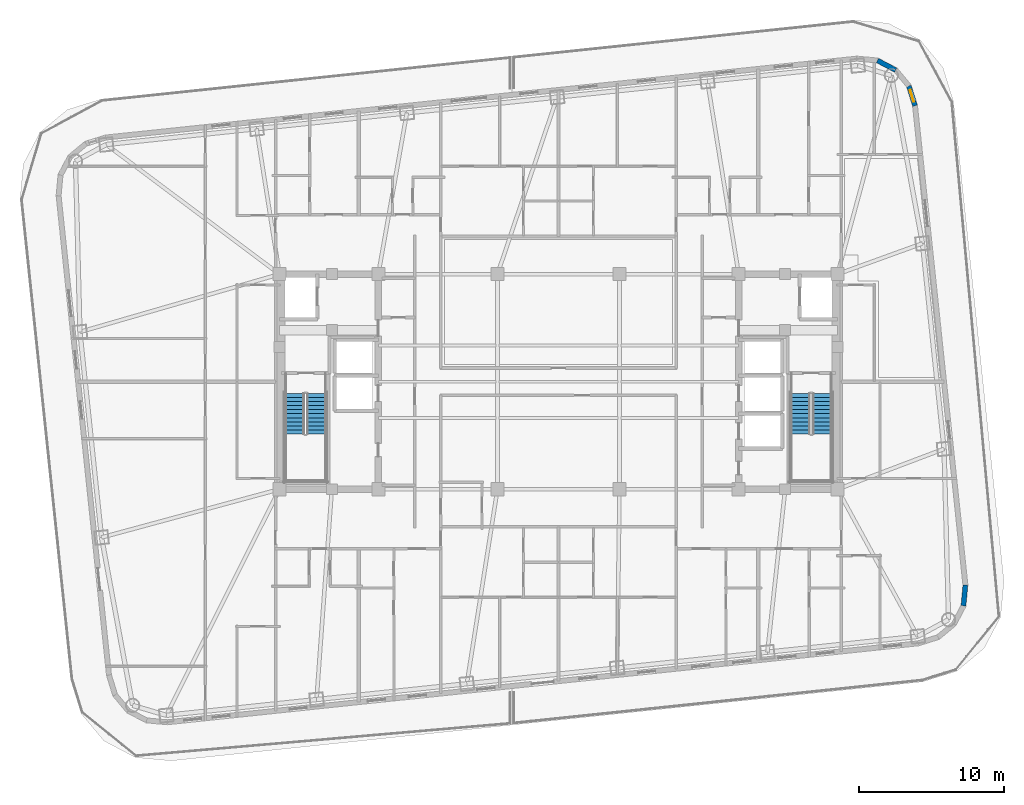
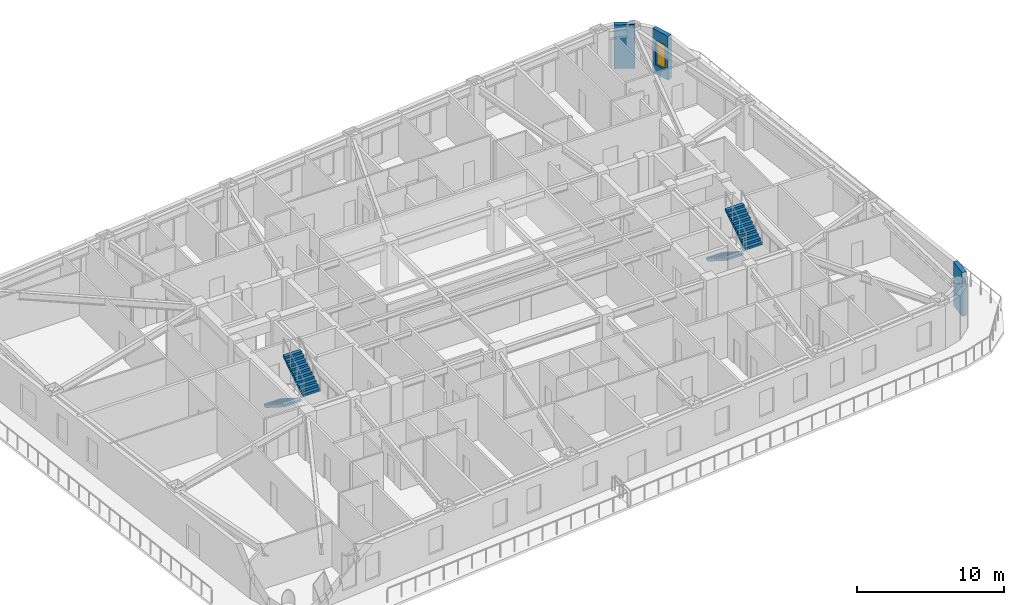
# One storey, part 10 of 15: 4 stair flights, 3 walls, 1 window, 1 opening, 2 elements without a shape of their own.
"""IFC4 building model written with IfcOpenShell, lengths in metres."""

from ifc_helpers import new_model, si_unit, direction, frame, frame_2d, origin, place, context, subcontext, project, spatial, polyline, rectangle, outline, extrude, material, layer, layer_set, type_object, element, fill, aggregate, save


model = new_model("IFC4")

# Units and contexts
model_context = context("Model", 3, precision=1e-05, world=origin(), true_north=direction((0.0, 1.0)))
body_context = subcontext(model_context, "Body", "Model", "MODEL_VIEW")
ifc_project = project(units=[si_unit("LENGTHUNIT", "METRE"), si_unit("AREAUNIT", "SQUARE_METRE"), si_unit("VOLUMEUNIT", "CUBIC_METRE"), si_unit("PLANEANGLEUNIT", "RADIAN"), si_unit("MASSUNIT", "GRAM", prefix="KILO")], contexts=[model_context])

# Site, building, storey
site_placement = place(None, origin())
site = spatial("IfcSite", under=ifc_project, at=site_placement, CompositionType="ELEMENT")
building_placement = place(site_placement, origin())
building = spatial("IfcBuilding", under=site, at=building_placement, Name="Voryun Gate Residences", CompositionType="ELEMENT")
storey_placement = place(building_placement, frame((0.0, 0.0, 171.60009765625)))
storey = spatial("IfcBuildingStorey", under=building, at=storey_placement, Name="L42", CompositionType="ELEMENT", Elevation=171.60009765625)

# Wall
ifc_material_1 = material(Name="Charcoal terracotta masonry", Category="masonry")
ifc_layer = layer(ifc_material_1, 0.340087890625, Name="W_EXT_TERRACOTTA_340")
ifc_layer_set = layer_set([ifc_layer], Name="Charcoal terracotta masonry")
wall_type = type_object("IfcWallType", Name="W_EXT_TERRACOTTA_340", PredefinedType="ELEMENTEDWALL", material=ifc_layer_set)
wall_1_placement = place(storey_placement, frame((21.952392578125, 22.10400390625, 0.0), z_axis=(0.0, 0.0, 1.0), x_axis=(0.885023004245, -0.465547292933, 0.0)))
element("IfcWall", 1, at=wall_1_placement, inside=storey, type_object=wall_type, Name="Exterior wall WEXT-L42-13", PredefinedType="ELEMENTEDWALL", context=body_context, shape_type="SweptSolid", body=[
    extrude(rectangle(XDim=1.414794921875, YDim=0.340087890625, at=frame_2d((0.70751953125, 0.0))), origin(), (0.0, 0.0, 1.0), 3.64990234375),
])

# Wall, opening, window
wall_2_placement = place(storey_placement, frame((24.109619140625, 20.357421875, 0.0), z_axis=(0.0, 0.0, 1.0), x_axis=(0.296420660287, -0.955057481074, 0.0)))
wall_2 = element("IfcWall", 2, at=wall_2_placement, inside=storey, type_object=wall_type, Name="Exterior wall WEXT-L42-15", PredefinedType="ELEMENTEDWALL", context=body_context, shape_type="SweptSolid", body=[
    extrude(rectangle(XDim=1.432373046875, YDim=0.340087890625, at=frame_2d((0.71630859375, 0.0))), origin(), (0.0, 0.0, 1.0), 3.64990234375),
])
opening_placement = place(wall_2_placement, frame((0.291015625, 0.0, 0.75)))
opening = element("IfcOpeningElement", 3, at=opening_placement, cuts=wall_2, Name="Opening WN9", PredefinedType="OPENING", context=body_context, shape_type="SweptSolid", body=[
    extrude(rectangle(XDim=0.85009765625, YDim=2.050048828125, at=frame_2d((0.425048828125, 1.02490234375))), frame((0.0, 0.179931640625, 0.0), z_axis=(0.0, -1.0, 0.0), x_axis=(1.0, 0.0, 0.0)), (0.0, 0.0, 1.0), 0.360107421875),
])
ifc_material_2 = material(Name="Laminated low-E glass", Category="glass")
window_type = type_object("IfcWindowType", Name="WN_RES_CASEMENT_850", PartitioningType="SINGLE_PANEL", PredefinedType="WINDOW", material=ifc_material_2)
window_placement = place(opening_placement, origin())
window = element("IfcWindow", 4, at=window_placement, inside=storey, type_object=window_type, Name="Window WN-L42-DWFIX-28", OverallHeight=2.050048828125, OverallWidth=0.85009765625, PartitioningType="SINGLE_PANEL", PredefinedType="WINDOW", context=body_context, shape_type="SweptSolid", body=[
    extrude(rectangle(XDim=0.85009765625, YDim=2.050048828125, at=frame_2d((0.425048828125, 1.02490234375))), frame((0.0, 0.030029296875, 0.0), z_axis=(0.0, -1.0, 0.0), x_axis=(1.0, 0.0, 0.0)), (0.0, 0.0, 1.0), 0.06005859375),
])
fill(opening, window)

# Wall
wall_3_placement = place(storey_placement, frame((28.001220703125, -13.9951171875, 0.0), z_axis=(0.0, 0.0, 1.0), x_axis=(-0.091534682358, -0.995801888894, 0.0)))
element("IfcWall", 5, at=wall_3_placement, inside=storey, type_object=wall_type, Name="Exterior wall WEXT-L42-17", PredefinedType="ELEMENTEDWALL", context=body_context, shape_type="SweptSolid", body=[
    extrude(rectangle(XDim=1.432373046875, YDim=0.340087890625, at=frame_2d((0.71630859375, 0.0))), origin(), (0.0, 0.0, 1.0), 3.64990234375),
])

# Stair, stair flights
ifc_material_3 = material(Name="Concrete C40/50", Category="concrete")
stair_type = type_object("IfcStairType", Name="STR_CORE_DOGLEG_1350", PredefinedType="HALF_TURN_STAIR", material=ifc_material_3)
stair_1_placement = place(storey_placement, origin())
stair_1 = element("IfcStair", 6, at=stair_1_placement, inside=storey, type_object=stair_type, Name="L42 Special Escape Stair ST-W1", PredefinedType="HALF_TURN_STAIR")
ifc_material_4 = material(Name="Concrete C40/50", Category="concrete")
stair_flight_type = type_object("IfcStairFlightType", Name="FLT_CORE_1350", PredefinedType="STRAIGHT", material=ifc_material_4)
stair_flight_1_placement = place(storey_placement, frame((-18.14990234375, -0.800048828125, 0.0), z_axis=(0.0, 0.0, 1.0), x_axis=(0.0, -1.0, 0.0)))
stair_flight_1 = element("IfcStairFlight", 7, at=stair_flight_1_placement, type_object=stair_flight_type, Name="ST-W1 flight 1", NumberOfRisers=11, NumberOfTreads=10, PredefinedType="STRAIGHT", RiserHeight=0.177272727, TreadLength=0.28, context=body_context, shape_type="SweptSolid", body=[
    extrude(outline(polyline([(0.0, 0.0), (0.0, 0.17724609375), (0.280029296875, 0.17724609375), (0.280029296875, 0.3544921875), (0.56005859375, 0.3544921875), (0.56005859375, 0.53173828125), (0.840087890625, 0.53173828125), (0.840087890625, 0.708984375), (1.1201171875, 0.708984375), (1.1201171875, 0.886474609375), (1.39990234375, 0.886474609375), (1.39990234375, 1.063720703125), (1.679931640625, 1.063720703125), (1.679931640625, 1.240966796875), (1.9599609375, 1.240966796875), (1.9599609375, 1.418212890625), (2.239990234375, 1.418212890625), (2.239990234375, 1.595458984375), (2.52001953125, 1.595458984375), (2.52001953125, 1.772705078125), (2.800048828125, 1.772705078125), (2.800048828125, 1.949951171875), (2.800048828125, 1.59521484375), (0.2802734375, 0.0), (0.0, 0.0)])), frame((0.0, 0.675048828125, 0.0), z_axis=(0.0, -1.0, 0.0), x_axis=(1.0, 0.0, 0.0)), (0.0, 0.0, 1.0), 1.35009765625),
])
stair_flight_2_placement = place(storey_placement, frame((-16.64990234375, -3.60009765625, 1.949951171875), z_axis=(0.0, 0.0, 1.0), x_axis=(0.0, 1.0, 0.0)))
stair_flight_2 = element("IfcStairFlight", 8, at=stair_flight_2_placement, type_object=stair_flight_type, Name="ST-W1 flight 2", NumberOfRisers=11, NumberOfTreads=10, PredefinedType="STRAIGHT", RiserHeight=0.177272727, TreadLength=0.28, context=body_context, shape_type="SweptSolid", body=[
    extrude(outline(polyline([(0.0, 0.0), (0.0, 0.17724609375), (0.280029296875, 0.17724609375), (0.280029296875, 0.3544921875), (0.56005859375, 0.3544921875), (0.56005859375, 0.53173828125), (0.840087890625, 0.53173828125), (0.840087890625, 0.708984375), (1.1201171875, 0.708984375), (1.1201171875, 0.886474609375), (1.39990234375, 0.886474609375), (1.39990234375, 1.063720703125), (1.679931640625, 1.063720703125), (1.679931640625, 1.240966796875), (1.9599609375, 1.240966796875), (1.9599609375, 1.418212890625), (2.239990234375, 1.418212890625), (2.239990234375, 1.595458984375), (2.52001953125, 1.595458984375), (2.52001953125, 1.772705078125), (2.800048828125, 1.772705078125), (2.800048828125, 1.949951171875), (2.800048828125, 1.59521484375), (0.2802734375, 0.0), (0.0, 0.0)])), frame((0.0, 0.675048828125, 0.0), z_axis=(0.0, -1.0, 0.0), x_axis=(1.0, 0.0, 0.0)), (0.0, 0.0, 1.0), 1.35009765625),
])
aggregate(stair_1, [stair_flight_1, stair_flight_2])

stair_2_placement = place(storey_placement, origin())
stair_2 = element("IfcStair", 9, at=stair_2_placement, inside=storey, type_object=stair_type, Name="L42 Special Escape Stair ST-E1", PredefinedType="HALF_TURN_STAIR")
stair_flight_3_placement = place(storey_placement, frame((16.64990234375, -0.800048828125, 0.0), z_axis=(0.0, 0.0, 1.0), x_axis=(0.0, -1.0, 0.0)))
stair_flight_3 = element("IfcStairFlight", 10, at=stair_flight_3_placement, type_object=stair_flight_type, Name="ST-E1 flight 1", NumberOfRisers=11, NumberOfTreads=10, PredefinedType="STRAIGHT", RiserHeight=0.177272727, TreadLength=0.28, context=body_context, shape_type="SweptSolid", body=[
    extrude(outline(polyline([(0.0, 0.0), (0.0, 0.17724609375), (0.280029296875, 0.17724609375), (0.280029296875, 0.3544921875), (0.56005859375, 0.3544921875), (0.56005859375, 0.53173828125), (0.840087890625, 0.53173828125), (0.840087890625, 0.708984375), (1.1201171875, 0.708984375), (1.1201171875, 0.886474609375), (1.39990234375, 0.886474609375), (1.39990234375, 1.063720703125), (1.679931640625, 1.063720703125), (1.679931640625, 1.240966796875), (1.9599609375, 1.240966796875), (1.9599609375, 1.418212890625), (2.239990234375, 1.418212890625), (2.239990234375, 1.595458984375), (2.52001953125, 1.595458984375), (2.52001953125, 1.772705078125), (2.800048828125, 1.772705078125), (2.800048828125, 1.949951171875), (2.800048828125, 1.59521484375), (0.2802734375, 0.0), (0.0, 0.0)])), frame((0.0, 0.675048828125, 0.0), z_axis=(0.0, -1.0, 0.0), x_axis=(1.0, 0.0, 0.0)), (0.0, 0.0, 1.0), 1.35009765625),
])
stair_flight_4_placement = place(storey_placement, frame((18.14990234375, -3.60009765625, 1.949951171875), z_axis=(0.0, 0.0, 1.0), x_axis=(0.0, 1.0, 0.0)))
stair_flight_4 = element("IfcStairFlight", 11, at=stair_flight_4_placement, type_object=stair_flight_type, Name="ST-E1 flight 2", NumberOfRisers=11, NumberOfTreads=10, PredefinedType="STRAIGHT", RiserHeight=0.177272727, TreadLength=0.28, context=body_context, shape_type="SweptSolid", body=[
    extrude(outline(polyline([(0.0, 0.0), (0.0, 0.17724609375), (0.280029296875, 0.17724609375), (0.280029296875, 0.3544921875), (0.56005859375, 0.3544921875), (0.56005859375, 0.53173828125), (0.840087890625, 0.53173828125), (0.840087890625, 0.708984375), (1.1201171875, 0.708984375), (1.1201171875, 0.886474609375), (1.39990234375, 0.886474609375), (1.39990234375, 1.063720703125), (1.679931640625, 1.063720703125), (1.679931640625, 1.240966796875), (1.9599609375, 1.240966796875), (1.9599609375, 1.418212890625), (2.239990234375, 1.418212890625), (2.239990234375, 1.595458984375), (2.52001953125, 1.595458984375), (2.52001953125, 1.772705078125), (2.800048828125, 1.772705078125), (2.800048828125, 1.949951171875), (2.800048828125, 1.59521484375), (0.2802734375, 0.0), (0.0, 0.0)])), frame((0.0, 0.675048828125, 0.0), z_axis=(0.0, -1.0, 0.0), x_axis=(1.0, 0.0, 0.0)), (0.0, 0.0, 1.0), 1.35009765625),
])
aggregate(stair_2, [stair_flight_3, stair_flight_4])

save(model, "model.ifc")
